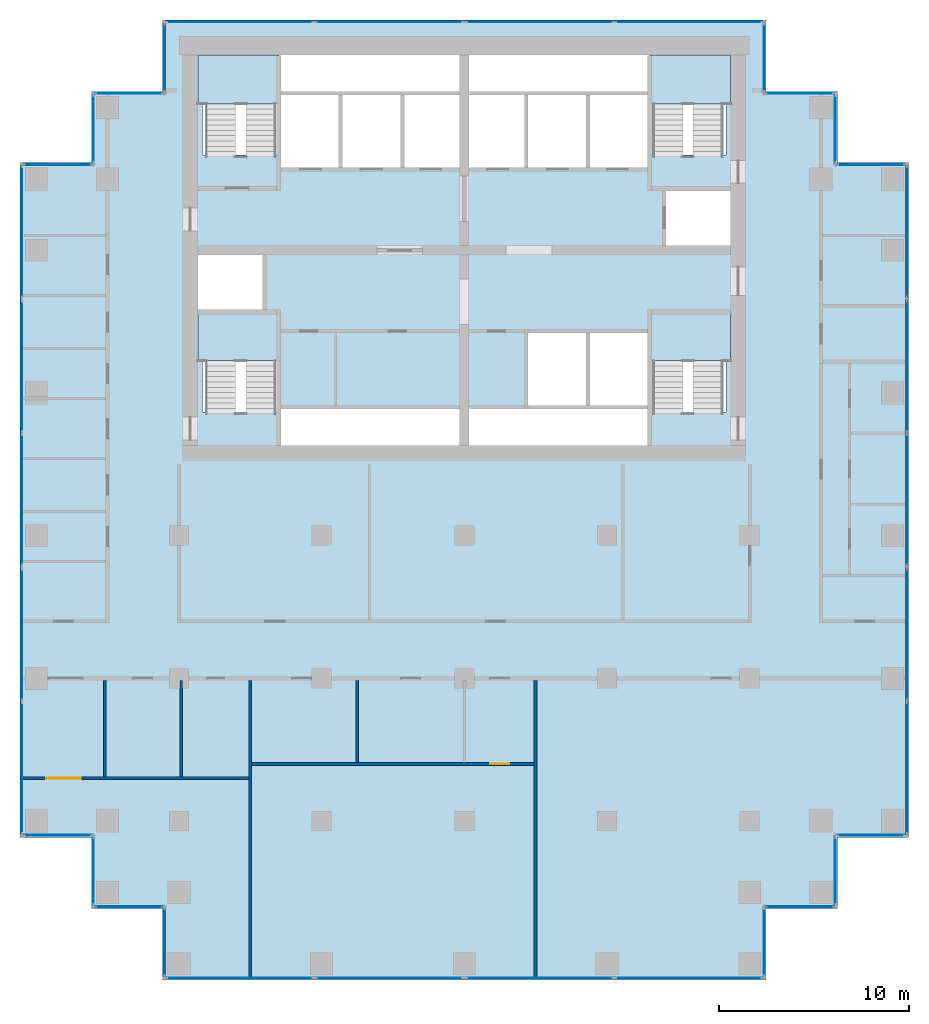
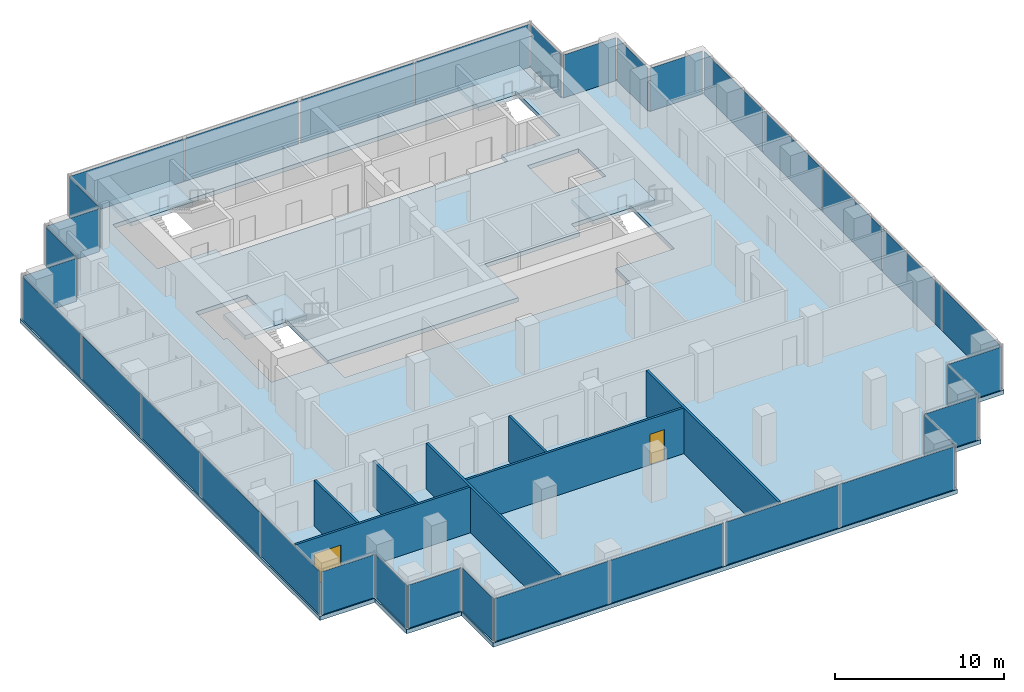
# One storey, part 6 of 10: 34 plates, 7 walls, 5 slabs, 2 doors, 2 openings, 30 elements without a shape of their own.
"""IFC4 building model written with IfcOpenShell, lengths in metres."""

from ifc_helpers import new_model, si_unit, direction, frame, frame_2d, origin, origin_2d, place, context, subcontext, project, spatial, polyline, rectangle, outline, extrude, material, layer, layer_set, type_object, element, fill, aggregate, save


model = new_model("IFC4")

# Units and contexts
model_context = context("Model", 3, precision=1e-05, world=origin(), true_north=direction((0.0, 1.0)))
body_context = subcontext(model_context, "Body", "Model", "MODEL_VIEW")
ifc_project = project(units=[si_unit("LENGTHUNIT", "METRE"), si_unit("AREAUNIT", "SQUARE_METRE"), si_unit("VOLUMEUNIT", "CUBIC_METRE"), si_unit("PLANEANGLEUNIT", "RADIAN"), si_unit("MASSUNIT", "GRAM", prefix="KILO")], contexts=[model_context])

# Site, building, storey
site_placement = place(None, origin())
site = spatial("IfcSite", under=ifc_project, at=site_placement, CompositionType="ELEMENT")
building_placement = place(site_placement, origin())
building = spatial("IfcBuilding", under=site, at=building_placement, Name="Pilkhan Gate Tower", CompositionType="ELEMENT")
storey_placement = place(building_placement, frame((0.0, 0.0, 147.699951171875)))
storey = spatial("IfcBuildingStorey", under=building, at=storey_placement, Name="L37", CompositionType="ELEMENT", Elevation=147.699951171875)

# Slab
ifc_material_1 = material(Name="Concrete C40/50", Category="concrete")
ifc_layer_1 = layer(ifc_material_1, 0.300048828125)
ifc_layer_set_1 = layer_set([ifc_layer_1], Name="Flat plate slab FP300")
slab_type_1 = type_object("IfcSlabType", Name="Flat plate slab FP300", PredefinedType="FLOOR", material=ifc_layer_set_1)
slab_1_placement = place(storey_placement, frame((0.0, 0.0, -0.300048828125)))
element("IfcSlab", 1, at=slab_1_placement, inside=storey, type_object=slab_type_1, Name="Floor slab L37", PredefinedType="FLOOR", context=body_context, shape_type="SweptSolid", body=[
    extrude(outline(polyline([(94.60009765625, 47.89990234375), (90.85009765625, 47.89990234375), (90.85009765625, 44.14990234375), (59.14990234375, 44.14990234375), (59.14990234375, 47.89990234375), (55.39990234375, 47.89990234375), (55.39990234375, 51.64990234375), (51.64990234375, 51.64990234375), (51.64990234375, 87.10009765625), (55.39990234375, 87.10009765625), (55.39990234375, 90.85009765625), (59.14990234375, 90.85009765625), (59.14990234375, 94.60009765625), (90.85009765625, 94.60009765625), (90.85009765625, 90.85009765625), (94.60009765625, 90.85009765625), (94.60009765625, 87.10009765625), (98.35009765625, 87.10009765625), (98.35009765625, 51.64990234375), (94.60009765625, 51.64990234375), (94.60009765625, 47.89990234375)]), holes=[polyline([(75.0, 72.25), (84.75, 72.25), (84.75, 74.0), (88.75, 74.0), (88.75, 79.25), (84.75, 79.25), (84.75, 78.25), (81.5, 78.25), (78.25, 78.25), (78.25, 74.25), (75.0, 74.25), (65.25, 74.25), (65.25, 79.25), (64.5, 79.25), (64.5, 82.5), (61.25, 82.5), (61.0, 82.5), (61.0, 79.25), (61.25, 79.25), (61.25, 74.0), (65.25, 74.0), (65.25, 72.25), (75.0, 72.25)]), polyline([(68.5, 86.75), (71.75, 86.75), (75.0, 86.75), (78.25, 86.75), (81.5, 86.75), (84.75, 86.75), (84.75, 87.5), (88.75, 87.5), (88.75, 92.75), (84.75, 92.75), (75.0, 92.75), (65.25, 92.75), (61.25, 92.75), (61.25, 87.5), (65.25, 87.5), (65.25, 86.75), (68.5, 86.75)]), polyline([(85.5, 85.75), (85.5, 82.5), (88.75, 82.5), (89.0, 82.5), (89.0, 85.75), (88.75, 85.75), (85.5, 85.75)])]), origin(), (0.0, 0.0, 1.0), 0.300048828125),
])

# Curtain wall, plates
ifc_material_2 = material(Name="Pale anodised aluminium, clear low-iron double glazing", Category="aluminium")
curtain_wall_type = type_object("IfcCurtainWallType", Name="Office unitised curtain wall CW-O1", PredefinedType="USERDEFINED", material=ifc_material_2)
curtain_wall_1_placement = place(storey_placement, origin())
curtain_wall_1 = element("IfcCurtainWall", 2, at=curtain_wall_1_placement, inside=storey, type_object=curtain_wall_type, Name="Office unitised curtain wall CW-O1 L37 E", ObjectType="UNITISED CURTAIN WALL", PredefinedType="USERDEFINED")
ifc_material_3 = material(Name="Clear low-iron double glazing", Category="glass")
ifc_layer_2 = layer(ifc_material_3, 0.0400390625)
ifc_layer_set_2 = layer_set([ifc_layer_2], Name="Glass panel CW-O1 40")
plate_type = type_object("IfcPlateType", Name="Glass panel CW-O1 40", PredefinedType="CURTAIN_PANEL", material=ifc_layer_set_2)
plate_1_placement = place(storey_placement, frame((98.25, 55.29248046875, 0.0), z_axis=(0.0, 0.0, 1.0), x_axis=(0.0, 1.0, 0.0)))
plate_1 = element("IfcPlate", 3, at=plate_1_placement, type_object=plate_type, Name="CW-O1 panel 1", PredefinedType="CURTAIN_PANEL", context=body_context, shape_type="SweptSolid", body=[
    extrude(rectangle(XDim=6.945068359375, YDim=0.0400390625, at=origin_2d()), origin(), (0.0, 0.0, 1.0), 3.10009765625),
])
plate_2_placement = place(storey_placement, frame((98.25, 62.3076171875, 0.0), z_axis=(0.0, 0.0, 1.0), x_axis=(0.0, 1.0, 0.0)))
plate_2 = element("IfcPlate", 4, at=plate_2_placement, type_object=plate_type, Name="CW-O1 panel 2", PredefinedType="CURTAIN_PANEL", context=body_context, shape_type="SweptSolid", body=[
    extrude(rectangle(XDim=6.945068359375, YDim=0.0400390625, at=origin_2d()), origin(), (0.0, 0.0, 1.0), 3.10009765625),
])
aggregate(curtain_wall_1, [plate_1, plate_2])

curtain_wall_2_placement = place(storey_placement, origin())
curtain_wall_2 = element("IfcCurtainWall", 5, at=curtain_wall_2_placement, inside=storey, type_object=curtain_wall_type, Name="Office unitised curtain wall CW-O1 L37 E", ObjectType="UNITISED CURTAIN WALL", PredefinedType="USERDEFINED")
plate_3_placement = place(storey_placement, frame((98.25, 69.392578125, 0.0), z_axis=(0.0, 0.0, 1.0), x_axis=(0.0, 1.0, 0.0)))
plate_3 = element("IfcPlate", 6, at=plate_3_placement, type_object=plate_type, Name="CW-O1 panel 1", PredefinedType="CURTAIN_PANEL", context=body_context, shape_type="SweptSolid", body=[
    extrude(rectangle(XDim=6.945068359375, YDim=0.0400390625, at=origin_2d()), origin(), (0.0, 0.0, 1.0), 3.10009765625),
])
plate_4_placement = place(storey_placement, frame((98.25, 76.407470703125, 0.0), z_axis=(0.0, 0.0, 1.0), x_axis=(0.0, 1.0, 0.0)))
plate_4 = element("IfcPlate", 7, at=plate_4_placement, type_object=plate_type, Name="CW-O1 panel 2", PredefinedType="CURTAIN_PANEL", context=body_context, shape_type="SweptSolid", body=[
    extrude(rectangle(XDim=6.945068359375, YDim=0.0400390625, at=origin_2d()), origin(), (0.0, 0.0, 1.0), 3.10009765625),
])
aggregate(curtain_wall_2, [plate_3, plate_4])

# Curtain wall, plate
curtain_wall_3_placement = place(storey_placement, origin())
curtain_wall_3 = element("IfcCurtainWall", 8, at=curtain_wall_3_placement, inside=storey, type_object=curtain_wall_type, Name="Office unitised curtain wall CW-O1 L37 E", ObjectType="UNITISED CURTAIN WALL", PredefinedType="USERDEFINED")
plate_5_placement = place(storey_placement, frame((98.25, 83.47509765625, 0.0), z_axis=(0.0, 0.0, 1.0), x_axis=(0.0, 1.0, 0.0)))
plate_5 = element("IfcPlate", 9, at=plate_5_placement, type_object=plate_type, Name="CW-O1 panel 1", PredefinedType="CURTAIN_PANEL", context=body_context, shape_type="SweptSolid", body=[
    extrude(rectangle(XDim=6.909912109375, YDim=0.0400390625, at=origin_2d()), origin(), (0.0, 0.0, 1.0), 3.10009765625),
])
aggregate(curtain_wall_3, [plate_5])

curtain_wall_4_placement = place(storey_placement, origin())
curtain_wall_4 = element("IfcCurtainWall", 10, at=curtain_wall_4_placement, inside=storey, type_object=curtain_wall_type, Name="Office unitised curtain wall CW-O1 L37 N", ObjectType="UNITISED CURTAIN WALL", PredefinedType="USERDEFINED")
plate_6_placement = place(storey_placement, frame((96.375, 87.0, 0.0), z_axis=(0.0, 0.0, 1.0), x_axis=(1.0, 0.0, 0.0)))
plate_6 = element("IfcPlate", 11, at=plate_6_placement, type_object=plate_type, Name="CW-O1 panel 1", PredefinedType="CURTAIN_PANEL", context=body_context, shape_type="SweptSolid", body=[
    extrude(rectangle(XDim=3.610107421875, YDim=0.0400390625, at=origin_2d()), origin(), (0.0, 0.0, 1.0), 3.10009765625),
])
aggregate(curtain_wall_4, [plate_6])

curtain_wall_5_placement = place(storey_placement, origin())
curtain_wall_5 = element("IfcCurtainWall", 12, at=curtain_wall_5_placement, inside=storey, type_object=curtain_wall_type, Name="Office unitised curtain wall CW-O1 L37 E", ObjectType="UNITISED CURTAIN WALL", PredefinedType="USERDEFINED")
plate_7_placement = place(storey_placement, frame((94.5, 88.875, 0.0), z_axis=(0.0, 0.0, 1.0), x_axis=(0.0, 1.0, 0.0)))
plate_7 = element("IfcPlate", 13, at=plate_7_placement, type_object=plate_type, Name="CW-O1 panel 1", PredefinedType="CURTAIN_PANEL", context=body_context, shape_type="SweptSolid", body=[
    extrude(rectangle(XDim=3.610107421875, YDim=0.0400390625, at=origin_2d()), origin(), (0.0, 0.0, 1.0), 3.10009765625),
])
aggregate(curtain_wall_5, [plate_7])

curtain_wall_6_placement = place(storey_placement, origin())
curtain_wall_6 = element("IfcCurtainWall", 14, at=curtain_wall_6_placement, inside=storey, type_object=curtain_wall_type, Name="Office unitised curtain wall CW-O1 L37 N", ObjectType="UNITISED CURTAIN WALL", PredefinedType="USERDEFINED")
plate_8_placement = place(storey_placement, frame((92.625, 90.75, 0.0), z_axis=(0.0, 0.0, 1.0), x_axis=(1.0, 0.0, 0.0)))
plate_8 = element("IfcPlate", 15, at=plate_8_placement, type_object=plate_type, Name="CW-O1 panel 1", PredefinedType="CURTAIN_PANEL", context=body_context, shape_type="SweptSolid", body=[
    extrude(rectangle(XDim=3.610107421875, YDim=0.0400390625, at=origin_2d()), origin(), (0.0, 0.0, 1.0), 3.10009765625),
])
aggregate(curtain_wall_6, [plate_8])

curtain_wall_7_placement = place(storey_placement, origin())
curtain_wall_7 = element("IfcCurtainWall", 16, at=curtain_wall_7_placement, inside=storey, type_object=curtain_wall_type, Name="Office unitised curtain wall CW-O1 L37 E", ObjectType="UNITISED CURTAIN WALL", PredefinedType="USERDEFINED")
plate_9_placement = place(storey_placement, frame((90.75, 92.625, 0.0), z_axis=(0.0, 0.0, 1.0), x_axis=(0.0, 1.0, 0.0)))
plate_9 = element("IfcPlate", 17, at=plate_9_placement, type_object=plate_type, Name="CW-O1 panel 1", PredefinedType="CURTAIN_PANEL", context=body_context, shape_type="SweptSolid", body=[
    extrude(rectangle(XDim=3.610107421875, YDim=0.0400390625, at=origin_2d()), origin(), (0.0, 0.0, 1.0), 3.10009765625),
])
aggregate(curtain_wall_7, [plate_9])

# Curtain wall, plates
curtain_wall_8_placement = place(storey_placement, origin())
curtain_wall_8 = element("IfcCurtainWall", 18, at=curtain_wall_8_placement, inside=storey, type_object=curtain_wall_type, Name="Office unitised curtain wall CW-O1 L37 N", ObjectType="UNITISED CURTAIN WALL", PredefinedType="USERDEFINED")
plate_10_placement = place(storey_placement, frame((63.205078125, 94.5, 0.0), z_axis=(0.0, 0.0, 1.0), x_axis=(1.0, 0.0, 0.0)))
plate_10 = element("IfcPlate", 19, at=plate_10_placement, type_object=plate_type, Name="CW-O1 panel 1", PredefinedType="CURTAIN_PANEL", context=body_context, shape_type="SweptSolid", body=[
    extrude(rectangle(XDim=7.77001953125, YDim=0.0400390625, at=origin_2d()), origin(), (0.0, 0.0, 1.0), 3.10009765625),
])
plate_11_placement = place(storey_placement, frame((71.044921875, 94.5, 0.0), z_axis=(0.0, 0.0, 1.0), x_axis=(1.0, 0.0, 0.0)))
plate_11 = element("IfcPlate", 20, at=plate_11_placement, type_object=plate_type, Name="CW-O1 panel 2", PredefinedType="CURTAIN_PANEL", context=body_context, shape_type="SweptSolid", body=[
    extrude(rectangle(XDim=7.77001953125, YDim=0.0400390625, at=origin_2d()), origin(), (0.0, 0.0, 1.0), 3.10009765625),
])
aggregate(curtain_wall_8, [plate_10, plate_11])

curtain_wall_9_placement = place(storey_placement, origin())
curtain_wall_9 = element("IfcCurtainWall", 21, at=curtain_wall_9_placement, inside=storey, type_object=curtain_wall_type, Name="Office unitised curtain wall CW-O1 L37 N", ObjectType="UNITISED CURTAIN WALL", PredefinedType="USERDEFINED")
plate_12_placement = place(storey_placement, frame((78.955078125, 94.5, 0.0), z_axis=(0.0, 0.0, 1.0), x_axis=(1.0, 0.0, 0.0)))
plate_12 = element("IfcPlate", 22, at=plate_12_placement, type_object=plate_type, Name="CW-O1 panel 1", PredefinedType="CURTAIN_PANEL", context=body_context, shape_type="SweptSolid", body=[
    extrude(rectangle(XDim=7.77001953125, YDim=0.0400390625, at=origin_2d()), origin(), (0.0, 0.0, 1.0), 3.10009765625),
])
plate_13_placement = place(storey_placement, frame((86.794921875, 94.5, 0.0), z_axis=(0.0, 0.0, 1.0), x_axis=(1.0, 0.0, 0.0)))
plate_13 = element("IfcPlate", 23, at=plate_13_placement, type_object=plate_type, Name="CW-O1 panel 2", PredefinedType="CURTAIN_PANEL", context=body_context, shape_type="SweptSolid", body=[
    extrude(rectangle(XDim=7.77001953125, YDim=0.0400390625, at=origin_2d()), origin(), (0.0, 0.0, 1.0), 3.10009765625),
])
aggregate(curtain_wall_9, [plate_12, plate_13])

# Curtain wall, plate
curtain_wall_10_placement = place(storey_placement, origin())
curtain_wall_10 = element("IfcCurtainWall", 24, at=curtain_wall_10_placement, inside=storey, type_object=curtain_wall_type, Name="Office unitised curtain wall CW-O1 L37 W", ObjectType="UNITISED CURTAIN WALL", PredefinedType="USERDEFINED")
plate_14_placement = place(storey_placement, frame((59.25, 92.625, 0.0), z_axis=(0.0, 0.0, 1.0), x_axis=(0.0, 1.0, 0.0)))
plate_14 = element("IfcPlate", 25, at=plate_14_placement, type_object=plate_type, Name="CW-O1 panel 1", PredefinedType="CURTAIN_PANEL", context=body_context, shape_type="SweptSolid", body=[
    extrude(rectangle(XDim=3.610107421875, YDim=0.0400390625, at=origin_2d()), origin(), (0.0, 0.0, 1.0), 3.10009765625),
])
aggregate(curtain_wall_10, [plate_14])

curtain_wall_11_placement = place(storey_placement, origin())
curtain_wall_11 = element("IfcCurtainWall", 26, at=curtain_wall_11_placement, inside=storey, type_object=curtain_wall_type, Name="Office unitised curtain wall CW-O1 L37 N", ObjectType="UNITISED CURTAIN WALL", PredefinedType="USERDEFINED")
plate_15_placement = place(storey_placement, frame((57.375, 90.75, 0.0), z_axis=(0.0, 0.0, 1.0), x_axis=(1.0, 0.0, 0.0)))
plate_15 = element("IfcPlate", 27, at=plate_15_placement, type_object=plate_type, Name="CW-O1 panel 1", PredefinedType="CURTAIN_PANEL", context=body_context, shape_type="SweptSolid", body=[
    extrude(rectangle(XDim=3.610107421875, YDim=0.0400390625, at=origin_2d()), origin(), (0.0, 0.0, 1.0), 3.10009765625),
])
aggregate(curtain_wall_11, [plate_15])

curtain_wall_12_placement = place(storey_placement, origin())
curtain_wall_12 = element("IfcCurtainWall", 28, at=curtain_wall_12_placement, inside=storey, type_object=curtain_wall_type, Name="Office unitised curtain wall CW-O1 L37 W", ObjectType="UNITISED CURTAIN WALL", PredefinedType="USERDEFINED")
plate_16_placement = place(storey_placement, frame((55.5, 88.875, 0.0), z_axis=(0.0, 0.0, 1.0), x_axis=(0.0, 1.0, 0.0)))
plate_16 = element("IfcPlate", 29, at=plate_16_placement, type_object=plate_type, Name="CW-O1 panel 1", PredefinedType="CURTAIN_PANEL", context=body_context, shape_type="SweptSolid", body=[
    extrude(rectangle(XDim=3.610107421875, YDim=0.0400390625, at=origin_2d()), origin(), (0.0, 0.0, 1.0), 3.10009765625),
])
aggregate(curtain_wall_12, [plate_16])

curtain_wall_13_placement = place(storey_placement, origin())
curtain_wall_13 = element("IfcCurtainWall", 30, at=curtain_wall_13_placement, inside=storey, type_object=curtain_wall_type, Name="Office unitised curtain wall CW-O1 L37 N", ObjectType="UNITISED CURTAIN WALL", PredefinedType="USERDEFINED")
plate_17_placement = place(storey_placement, frame((53.625, 87.0, 0.0), z_axis=(0.0, 0.0, 1.0), x_axis=(1.0, 0.0, 0.0)))
plate_17 = element("IfcPlate", 31, at=plate_17_placement, type_object=plate_type, Name="CW-O1 panel 1", PredefinedType="CURTAIN_PANEL", context=body_context, shape_type="SweptSolid", body=[
    extrude(rectangle(XDim=3.610107421875, YDim=0.0400390625, at=origin_2d()), origin(), (0.0, 0.0, 1.0), 3.10009765625),
])
aggregate(curtain_wall_13, [plate_17])

# Curtain wall, plates
curtain_wall_14_placement = place(storey_placement, origin())
curtain_wall_14 = element("IfcCurtainWall", 32, at=curtain_wall_14_placement, inside=storey, type_object=curtain_wall_type, Name="Office unitised curtain wall CW-O1 L37 W", ObjectType="UNITISED CURTAIN WALL", PredefinedType="USERDEFINED")
plate_18_placement = place(storey_placement, frame((51.75, 55.29248046875, 0.0), z_axis=(0.0, 0.0, 1.0), x_axis=(0.0, 1.0, 0.0)))
plate_18 = element("IfcPlate", 33, at=plate_18_placement, type_object=plate_type, Name="CW-O1 panel 1", PredefinedType="CURTAIN_PANEL", context=body_context, shape_type="SweptSolid", body=[
    extrude(rectangle(XDim=6.945068359375, YDim=0.0400390625, at=origin_2d()), origin(), (0.0, 0.0, 1.0), 3.10009765625),
])
plate_19_placement = place(storey_placement, frame((51.75, 62.3076171875, 0.0), z_axis=(0.0, 0.0, 1.0), x_axis=(0.0, 1.0, 0.0)))
plate_19 = element("IfcPlate", 34, at=plate_19_placement, type_object=plate_type, Name="CW-O1 panel 2", PredefinedType="CURTAIN_PANEL", context=body_context, shape_type="SweptSolid", body=[
    extrude(rectangle(XDim=6.945068359375, YDim=0.0400390625, at=origin_2d()), origin(), (0.0, 0.0, 1.0), 3.10009765625),
])
aggregate(curtain_wall_14, [plate_18, plate_19])

curtain_wall_15_placement = place(storey_placement, origin())
curtain_wall_15 = element("IfcCurtainWall", 35, at=curtain_wall_15_placement, inside=storey, type_object=curtain_wall_type, Name="Office unitised curtain wall CW-O1 L37 W", ObjectType="UNITISED CURTAIN WALL", PredefinedType="USERDEFINED")
plate_20_placement = place(storey_placement, frame((51.75, 69.392578125, 0.0), z_axis=(0.0, 0.0, 1.0), x_axis=(0.0, 1.0, 0.0)))
plate_20 = element("IfcPlate", 36, at=plate_20_placement, type_object=plate_type, Name="CW-O1 panel 1", PredefinedType="CURTAIN_PANEL", context=body_context, shape_type="SweptSolid", body=[
    extrude(rectangle(XDim=6.945068359375, YDim=0.0400390625, at=origin_2d()), origin(), (0.0, 0.0, 1.0), 3.10009765625),
])
plate_21_placement = place(storey_placement, frame((51.75, 76.407470703125, 0.0), z_axis=(0.0, 0.0, 1.0), x_axis=(0.0, 1.0, 0.0)))
plate_21 = element("IfcPlate", 37, at=plate_21_placement, type_object=plate_type, Name="CW-O1 panel 2", PredefinedType="CURTAIN_PANEL", context=body_context, shape_type="SweptSolid", body=[
    extrude(rectangle(XDim=6.945068359375, YDim=0.0400390625, at=origin_2d()), origin(), (0.0, 0.0, 1.0), 3.10009765625),
])
aggregate(curtain_wall_15, [plate_20, plate_21])

# Curtain wall, plate
curtain_wall_16_placement = place(storey_placement, origin())
curtain_wall_16 = element("IfcCurtainWall", 38, at=curtain_wall_16_placement, inside=storey, type_object=curtain_wall_type, Name="Office unitised curtain wall CW-O1 L37 W", ObjectType="UNITISED CURTAIN WALL", PredefinedType="USERDEFINED")
plate_22_placement = place(storey_placement, frame((51.75, 83.47509765625, 0.0), z_axis=(0.0, 0.0, 1.0), x_axis=(0.0, 1.0, 0.0)))
plate_22 = element("IfcPlate", 39, at=plate_22_placement, type_object=plate_type, Name="CW-O1 panel 1", PredefinedType="CURTAIN_PANEL", context=body_context, shape_type="SweptSolid", body=[
    extrude(rectangle(XDim=6.909912109375, YDim=0.0400390625, at=origin_2d()), origin(), (0.0, 0.0, 1.0), 3.10009765625),
])
aggregate(curtain_wall_16, [plate_22])

curtain_wall_17_placement = place(storey_placement, origin())
curtain_wall_17 = element("IfcCurtainWall", 40, at=curtain_wall_17_placement, inside=storey, type_object=curtain_wall_type, Name="Office unitised curtain wall CW-O1 L37 S", ObjectType="UNITISED CURTAIN WALL", PredefinedType="USERDEFINED")
plate_23_placement = place(storey_placement, frame((53.625, 51.75, 0.0), z_axis=(0.0, 0.0, 1.0), x_axis=(1.0, 0.0, 0.0)))
plate_23 = element("IfcPlate", 41, at=plate_23_placement, type_object=plate_type, Name="CW-O1 panel 1", PredefinedType="CURTAIN_PANEL", context=body_context, shape_type="SweptSolid", body=[
    extrude(rectangle(XDim=3.610107421875, YDim=0.0400390625, at=origin_2d()), origin(), (0.0, 0.0, 1.0), 3.10009765625),
])
aggregate(curtain_wall_17, [plate_23])

curtain_wall_18_placement = place(storey_placement, origin())
curtain_wall_18 = element("IfcCurtainWall", 42, at=curtain_wall_18_placement, inside=storey, type_object=curtain_wall_type, Name="Office unitised curtain wall CW-O1 L37 W", ObjectType="UNITISED CURTAIN WALL", PredefinedType="USERDEFINED")
plate_24_placement = place(storey_placement, frame((55.5, 49.875, 0.0), z_axis=(0.0, 0.0, 1.0), x_axis=(0.0, 1.0, 0.0)))
plate_24 = element("IfcPlate", 43, at=plate_24_placement, type_object=plate_type, Name="CW-O1 panel 1", PredefinedType="CURTAIN_PANEL", context=body_context, shape_type="SweptSolid", body=[
    extrude(rectangle(XDim=3.610107421875, YDim=0.0400390625, at=origin_2d()), origin(), (0.0, 0.0, 1.0), 3.10009765625),
])
aggregate(curtain_wall_18, [plate_24])

curtain_wall_19_placement = place(storey_placement, origin())
curtain_wall_19 = element("IfcCurtainWall", 44, at=curtain_wall_19_placement, inside=storey, type_object=curtain_wall_type, Name="Office unitised curtain wall CW-O1 L37 S", ObjectType="UNITISED CURTAIN WALL", PredefinedType="USERDEFINED")
plate_25_placement = place(storey_placement, frame((57.375, 48.0, 0.0), z_axis=(0.0, 0.0, 1.0), x_axis=(1.0, 0.0, 0.0)))
plate_25 = element("IfcPlate", 45, at=plate_25_placement, type_object=plate_type, Name="CW-O1 panel 1", PredefinedType="CURTAIN_PANEL", context=body_context, shape_type="SweptSolid", body=[
    extrude(rectangle(XDim=3.610107421875, YDim=0.0400390625, at=origin_2d()), origin(), (0.0, 0.0, 1.0), 3.10009765625),
])
aggregate(curtain_wall_19, [plate_25])

curtain_wall_20_placement = place(storey_placement, origin())
curtain_wall_20 = element("IfcCurtainWall", 46, at=curtain_wall_20_placement, inside=storey, type_object=curtain_wall_type, Name="Office unitised curtain wall CW-O1 L37 W", ObjectType="UNITISED CURTAIN WALL", PredefinedType="USERDEFINED")
plate_26_placement = place(storey_placement, frame((59.25, 46.125, 0.0), z_axis=(0.0, 0.0, 1.0), x_axis=(0.0, 1.0, 0.0)))
plate_26 = element("IfcPlate", 47, at=plate_26_placement, type_object=plate_type, Name="CW-O1 panel 1", PredefinedType="CURTAIN_PANEL", context=body_context, shape_type="SweptSolid", body=[
    extrude(rectangle(XDim=3.610107421875, YDim=0.0400390625, at=origin_2d()), origin(), (0.0, 0.0, 1.0), 3.10009765625),
])
aggregate(curtain_wall_20, [plate_26])

# Curtain wall, plates
curtain_wall_21_placement = place(storey_placement, origin())
curtain_wall_21 = element("IfcCurtainWall", 48, at=curtain_wall_21_placement, inside=storey, type_object=curtain_wall_type, Name="Office unitised curtain wall CW-O1 L37 S", ObjectType="UNITISED CURTAIN WALL", PredefinedType="USERDEFINED")
plate_27_placement = place(storey_placement, frame((63.205078125, 44.25, 0.0), z_axis=(0.0, 0.0, 1.0), x_axis=(1.0, 0.0, 0.0)))
plate_27 = element("IfcPlate", 49, at=plate_27_placement, type_object=plate_type, Name="CW-O1 panel 1", PredefinedType="CURTAIN_PANEL", context=body_context, shape_type="SweptSolid", body=[
    extrude(rectangle(XDim=7.77001953125, YDim=0.0400390625, at=origin_2d()), origin(), (0.0, 0.0, 1.0), 3.10009765625),
])
plate_28_placement = place(storey_placement, frame((71.044921875, 44.25, 0.0), z_axis=(0.0, 0.0, 1.0), x_axis=(1.0, 0.0, 0.0)))
plate_28 = element("IfcPlate", 50, at=plate_28_placement, type_object=plate_type, Name="CW-O1 panel 2", PredefinedType="CURTAIN_PANEL", context=body_context, shape_type="SweptSolid", body=[
    extrude(rectangle(XDim=7.77001953125, YDim=0.0400390625, at=origin_2d()), origin(), (0.0, 0.0, 1.0), 3.10009765625),
])
aggregate(curtain_wall_21, [plate_27, plate_28])

curtain_wall_22_placement = place(storey_placement, origin())
curtain_wall_22 = element("IfcCurtainWall", 51, at=curtain_wall_22_placement, inside=storey, type_object=curtain_wall_type, Name="Office unitised curtain wall CW-O1 L37 S", ObjectType="UNITISED CURTAIN WALL", PredefinedType="USERDEFINED")
plate_29_placement = place(storey_placement, frame((78.955078125, 44.25, 0.0), z_axis=(0.0, 0.0, 1.0), x_axis=(1.0, 0.0, 0.0)))
plate_29 = element("IfcPlate", 52, at=plate_29_placement, type_object=plate_type, Name="CW-O1 panel 1", PredefinedType="CURTAIN_PANEL", context=body_context, shape_type="SweptSolid", body=[
    extrude(rectangle(XDim=7.77001953125, YDim=0.0400390625, at=origin_2d()), origin(), (0.0, 0.0, 1.0), 3.10009765625),
])
plate_30_placement = place(storey_placement, frame((86.794921875, 44.25, 0.0), z_axis=(0.0, 0.0, 1.0), x_axis=(1.0, 0.0, 0.0)))
plate_30 = element("IfcPlate", 53, at=plate_30_placement, type_object=plate_type, Name="CW-O1 panel 2", PredefinedType="CURTAIN_PANEL", context=body_context, shape_type="SweptSolid", body=[
    extrude(rectangle(XDim=7.77001953125, YDim=0.0400390625, at=origin_2d()), origin(), (0.0, 0.0, 1.0), 3.10009765625),
])
aggregate(curtain_wall_22, [plate_29, plate_30])

# Curtain wall, plate
curtain_wall_23_placement = place(storey_placement, origin())
curtain_wall_23 = element("IfcCurtainWall", 54, at=curtain_wall_23_placement, inside=storey, type_object=curtain_wall_type, Name="Office unitised curtain wall CW-O1 L37 E", ObjectType="UNITISED CURTAIN WALL", PredefinedType="USERDEFINED")
plate_31_placement = place(storey_placement, frame((90.75, 46.125, 0.0), z_axis=(0.0, 0.0, 1.0), x_axis=(0.0, 1.0, 0.0)))
plate_31 = element("IfcPlate", 55, at=plate_31_placement, type_object=plate_type, Name="CW-O1 panel 1", PredefinedType="CURTAIN_PANEL", context=body_context, shape_type="SweptSolid", body=[
    extrude(rectangle(XDim=3.610107421875, YDim=0.0400390625, at=origin_2d()), origin(), (0.0, 0.0, 1.0), 3.10009765625),
])
aggregate(curtain_wall_23, [plate_31])

curtain_wall_24_placement = place(storey_placement, origin())
curtain_wall_24 = element("IfcCurtainWall", 56, at=curtain_wall_24_placement, inside=storey, type_object=curtain_wall_type, Name="Office unitised curtain wall CW-O1 L37 S", ObjectType="UNITISED CURTAIN WALL", PredefinedType="USERDEFINED")
plate_32_placement = place(storey_placement, frame((92.625, 48.0, 0.0), z_axis=(0.0, 0.0, 1.0), x_axis=(1.0, 0.0, 0.0)))
plate_32 = element("IfcPlate", 57, at=plate_32_placement, type_object=plate_type, Name="CW-O1 panel 1", PredefinedType="CURTAIN_PANEL", context=body_context, shape_type="SweptSolid", body=[
    extrude(rectangle(XDim=3.610107421875, YDim=0.0400390625, at=origin_2d()), origin(), (0.0, 0.0, 1.0), 3.10009765625),
])
aggregate(curtain_wall_24, [plate_32])

curtain_wall_25_placement = place(storey_placement, origin())
curtain_wall_25 = element("IfcCurtainWall", 58, at=curtain_wall_25_placement, inside=storey, type_object=curtain_wall_type, Name="Office unitised curtain wall CW-O1 L37 E", ObjectType="UNITISED CURTAIN WALL", PredefinedType="USERDEFINED")
plate_33_placement = place(storey_placement, frame((94.5, 49.875, 0.0), z_axis=(0.0, 0.0, 1.0), x_axis=(0.0, 1.0, 0.0)))
plate_33 = element("IfcPlate", 59, at=plate_33_placement, type_object=plate_type, Name="CW-O1 panel 1", PredefinedType="CURTAIN_PANEL", context=body_context, shape_type="SweptSolid", body=[
    extrude(rectangle(XDim=3.610107421875, YDim=0.0400390625, at=origin_2d()), origin(), (0.0, 0.0, 1.0), 3.10009765625),
])
aggregate(curtain_wall_25, [plate_33])

curtain_wall_26_placement = place(storey_placement, origin())
curtain_wall_26 = element("IfcCurtainWall", 60, at=curtain_wall_26_placement, inside=storey, type_object=curtain_wall_type, Name="Office unitised curtain wall CW-O1 L37 S", ObjectType="UNITISED CURTAIN WALL", PredefinedType="USERDEFINED")
plate_34_placement = place(storey_placement, frame((96.375, 51.75, 0.0), z_axis=(0.0, 0.0, 1.0), x_axis=(1.0, 0.0, 0.0)))
plate_34 = element("IfcPlate", 61, at=plate_34_placement, type_object=plate_type, Name="CW-O1 panel 1", PredefinedType="CURTAIN_PANEL", context=body_context, shape_type="SweptSolid", body=[
    extrude(rectangle(XDim=3.610107421875, YDim=0.0400390625, at=origin_2d()), origin(), (0.0, 0.0, 1.0), 3.10009765625),
])
aggregate(curtain_wall_26, [plate_34])

# Stair, slab
ifc_material_4 = material(Name="Concrete C40/50 precast", Category="concrete")
stair_type_1 = type_object("IfcStairType", Name="Stair ST1 164x280", PredefinedType="HALF_TURN_STAIR", material=ifc_material_4)
stair_1_placement = place(storey_placement, origin())
stair_1 = element("IfcStair", 62, at=stair_1_placement, inside=storey, type_object=stair_type_1, Name="Stair ST1 L37", PredefinedType="HALF_TURN_STAIR")
ifc_layer_3 = layer(ifc_material_1, 0.199951171875)
ifc_layer_set_3 = layer_set([ifc_layer_3], Name="Stair landing SL200")
slab_type_2 = type_object("IfcSlabType", Name="Stair landing SL200", PredefinedType="LANDING", material=ifc_layer_set_3)
slab_2_placement = place(storey_placement, frame((0.0, 0.0, 1.5)))
slab_2 = element("IfcSlab", 63, at=slab_2_placement, type_object=slab_type_2, Name="ST1 landing 1", PredefinedType="LANDING", context=body_context, shape_type="SweptSolid", body=[
    extrude(outline(polyline([(89.0, 76.699951171875), (89.0, 79.25), (84.75, 79.25), (84.75, 76.699951171875), (89.0, 76.699951171875)])), origin(), (0.0, 0.0, 1.0), 0.300048828125),
])
aggregate(stair_1, [slab_2])

stair_type_2 = type_object("IfcStairType", Name="Stair ST2 164x280", PredefinedType="HALF_TURN_STAIR", material=ifc_material_4)
stair_2_placement = place(storey_placement, origin())
stair_2 = element("IfcStair", 64, at=stair_2_placement, inside=storey, type_object=stair_type_2, Name="Stair ST2 L37", PredefinedType="HALF_TURN_STAIR")
slab_3_placement = place(storey_placement, frame((0.0, 0.0, 1.5)))
slab_3 = element("IfcSlab", 65, at=slab_3_placement, type_object=slab_type_2, Name="ST2 landing 1", PredefinedType="LANDING", context=body_context, shape_type="SweptSolid", body=[
    extrude(outline(polyline([(65.25, 76.699951171875), (65.25, 79.25), (61.0, 79.25), (61.0, 76.699951171875), (65.25, 76.699951171875)])), origin(), (0.0, 0.0, 1.0), 0.300048828125),
])
aggregate(stair_2, [slab_3])

stair_type_3 = type_object("IfcStairType", Name="Stair ST3 164x280", PredefinedType="HALF_TURN_STAIR", material=ifc_material_4)
stair_3_placement = place(storey_placement, origin())
stair_3 = element("IfcStair", 66, at=stair_3_placement, inside=storey, type_object=stair_type_3, Name="Stair ST3 L37", PredefinedType="HALF_TURN_STAIR")
slab_4_placement = place(storey_placement, frame((0.0, 0.0, 1.5)))
slab_4 = element("IfcSlab", 67, at=slab_4_placement, type_object=slab_type_2, Name="ST3 landing 1", PredefinedType="LANDING", context=body_context, shape_type="SweptSolid", body=[
    extrude(outline(polyline([(65.25, 90.199951171875), (65.25, 92.75), (61.0, 92.75), (61.0, 90.199951171875), (65.25, 90.199951171875)])), origin(), (0.0, 0.0, 1.0), 0.300048828125),
])
aggregate(stair_3, [slab_4])

stair_type_4 = type_object("IfcStairType", Name="Stair ST4 164x280", PredefinedType="HALF_TURN_STAIR", material=ifc_material_4)
stair_4_placement = place(storey_placement, origin())
stair_4 = element("IfcStair", 68, at=stair_4_placement, inside=storey, type_object=stair_type_4, Name="Stair ST4 L37", PredefinedType="HALF_TURN_STAIR")
slab_5_placement = place(storey_placement, frame((0.0, 0.0, 1.5)))
slab_5 = element("IfcSlab", 69, at=slab_5_placement, type_object=slab_type_2, Name="ST4 landing 1", PredefinedType="LANDING", context=body_context, shape_type="SweptSolid", body=[
    extrude(outline(polyline([(89.0, 90.199951171875), (89.0, 92.75), (84.75, 92.75), (84.75, 90.199951171875), (89.0, 90.199951171875)])), origin(), (0.0, 0.0, 1.0), 0.300048828125),
])
aggregate(stair_4, [slab_5])

# Wall, opening, door
ifc_material_5 = material(Name="Blockwork partition, plastered both sides", Category="masonry")
ifc_layer_4 = layer(ifc_material_5, 0.14990234375)
ifc_layer_set_4 = layer_set([ifc_layer_4], Name="Partition PW150")
wall_type = type_object("IfcWallType", Name="Partition PW150", PredefinedType="PARTITIONING", material=ifc_layer_set_4)
wall_1_placement = place(storey_placement, frame((51.735107421875, 54.75, 0.0), z_axis=(0.0, 0.0, 1.0), x_axis=(1.0, 0.0, 0.0)))
wall_1 = element("IfcWall", 70, at=wall_1_placement, inside=storey, type_object=wall_type, Name="Partition L37", PredefinedType="PARTITIONING", context=body_context, shape_type="SweptSolid", body=[
    extrude(rectangle(XDim=11.93994140625, YDim=0.14990234375, at=frame_2d((5.969970703125, 0.0))), origin(), (0.0, 0.0, 1.0), 3.300048828125),
])
opening_1_placement = place(wall_1_placement, frame((1.300048828125, 0.0, 0.0)))
opening_1 = element("IfcOpeningElement", 71, at=opening_1_placement, cuts=wall_1, Name="Opening L37-20", PredefinedType="OPENING", context=body_context, shape_type="SweptSolid", body=[
    extrude(rectangle(XDim=1.800048828125, YDim=2.199951171875, at=frame_2d((0.89990234375, 1.10009765625))), frame((0.0, 0.0849609375, 0.0), z_axis=(0.0, -1.0, 0.0), x_axis=(1.0, 0.0, 0.0)), (0.0, 0.0, 1.0), 0.169921875),
])
ifc_material_6 = material(Name="Timber glazed double door, 30 minute fire resisting", Category="wood")
door_type_1 = type_object("IfcDoorType", Name="Double door D04 1800x2200", OperationType="DOUBLE_DOOR_SINGLE_SWING", PredefinedType="DOOR", material=ifc_material_6)
door_1_placement = place(opening_1_placement, origin())
door_1 = element("IfcDoor", 72, at=door_1_placement, inside=storey, type_object=door_type_1, Name="Double door", OperationType="DOUBLE_DOOR_SINGLE_SWING", OverallHeight=2.199951171875, OverallWidth=1.800048828125, PredefinedType="DOOR", context=body_context, shape_type="SweptSolid", body=[
    extrude(rectangle(XDim=1.800048828125, YDim=2.199951171875, at=frame_2d((0.89990234375, 1.10009765625))), frame((0.0, 0.02490234375, 0.0), z_axis=(0.0, -1.0, 0.0), x_axis=(1.0, 0.0, 0.0)), (0.0, 0.0, 1.0), 0.050048828125),
])
fill(opening_1, door_1)

wall_2_placement = place(storey_placement, frame((63.824951171875, 55.5, 0.0), z_axis=(0.0, 0.0, 1.0), x_axis=(1.0, 0.0, 0.0)))
wall_2 = element("IfcWall", 73, at=wall_2_placement, inside=storey, type_object=wall_type, Name="Partition L37", PredefinedType="PARTITIONING", context=body_context, shape_type="SweptSolid", body=[
    extrude(rectangle(XDim=14.85009765625, YDim=0.14990234375, at=frame_2d((7.425048828125, 0.0))), origin(), (0.0, 0.0, 1.0), 3.300048828125),
])
opening_2_placement = place(wall_2_placement, frame((12.52490234375, 0.0, 0.0)))
opening_2 = element("IfcOpeningElement", 74, at=opening_2_placement, cuts=wall_2, Name="Opening L37-23", PredefinedType="OPENING", context=body_context, shape_type="SweptSolid", body=[
    extrude(rectangle(XDim=1.0, YDim=2.199951171875, at=frame_2d((0.5, 1.10009765625))), frame((0.0, 0.0849609375, 0.0), z_axis=(0.0, -1.0, 0.0), x_axis=(1.0, 0.0, 0.0)), (0.0, 0.0, 1.0), 0.169921875),
])
ifc_material_7 = material(Name="Timber flush door, 30 minute fire resisting", Category="wood")
door_type_2 = type_object("IfcDoorType", Name="Room door D03 1000x2200", OperationType="SINGLE_SWING_LEFT", PredefinedType="DOOR", material=ifc_material_7)
door_2_placement = place(opening_2_placement, origin())
door_2 = element("IfcDoor", 75, at=door_2_placement, inside=storey, type_object=door_type_2, Name="Room door", OperationType="SINGLE_SWING_LEFT", OverallHeight=2.199951171875, OverallWidth=1.0, PredefinedType="DOOR", context=body_context, shape_type="SweptSolid", body=[
    extrude(rectangle(XDim=1.0, YDim=2.199951171875, at=frame_2d((0.5, 1.10009765625))), frame((0.0, 0.02490234375, 0.0), z_axis=(0.0, -1.0, 0.0), x_axis=(1.0, 0.0, 0.0)), (0.0, 0.0, 1.0), 0.050048828125),
])
fill(opening_2, door_2)

# Walls
for number, where, z_axis, x_axis, name in (
    (76, (56.10009765625, 54.824951171875, 0.0), (0.0, 0.0, 1.0), (0.0, 1.0, 0.0), "Partition L37"),
    (77, (60.1259765625, 54.824951171875, 0.0), (0.0, 0.0, 1.0), (0.0, 1.0, 0.0), "Partition L37"),
):
    element("IfcWall", number, at=place(storey_placement, frame(where, z_axis=z_axis, x_axis=x_axis)), inside=storey, type_object=wall_type, Name=name, PredefinedType="PARTITIONING", context=body_context, shape_type="SweptSolid", body=[
        extrude(rectangle(XDim=5.074951171875, YDim=0.14990234375, at=frame_2d((2.53759765625, 0.0))), origin(), (0.0, 0.0, 1.0), 3.300048828125),
    ])
wall_3_placement = place(storey_placement, frame((63.75, 44.235107421875, 0.0), z_axis=(0.0, 0.0, 1.0), x_axis=(0.0, 1.0, 0.0)))
element("IfcWall", 78, at=wall_3_placement, inside=storey, type_object=wall_type, Name="Partition L37", PredefinedType="PARTITIONING", context=body_context, shape_type="SweptSolid", body=[
    extrude(rectangle(XDim=15.664794921875, YDim=0.14990234375, at=frame_2d((7.83251953125, 0.0))), origin(), (0.0, 0.0, 1.0), 3.300048828125),
])
wall_4_placement = place(storey_placement, frame((69.375, 55.574951171875, 0.0), z_axis=(0.0, 0.0, 1.0), x_axis=(0.0, 1.0, 0.0)))
element("IfcWall", 79, at=wall_4_placement, inside=storey, type_object=wall_type, Name="Partition L37", PredefinedType="PARTITIONING", context=body_context, shape_type="SweptSolid", body=[
    extrude(rectangle(XDim=4.324951171875, YDim=0.14990234375, at=frame_2d((2.16259765625, 0.0))), origin(), (0.0, 0.0, 1.0), 3.300048828125),
])
wall_5_placement = place(storey_placement, frame((78.75, 44.235107421875, 0.0), z_axis=(0.0, 0.0, 1.0), x_axis=(0.0, 1.0, 0.0)))
element("IfcWall", 80, at=wall_5_placement, inside=storey, type_object=wall_type, Name="Partition L37", PredefinedType="PARTITIONING", context=body_context, shape_type="SweptSolid", body=[
    extrude(rectangle(XDim=15.664794921875, YDim=0.14990234375, at=frame_2d((7.83251953125, 0.0))), origin(), (0.0, 0.0, 1.0), 3.300048828125),
])

save(model, "model.ifc")
